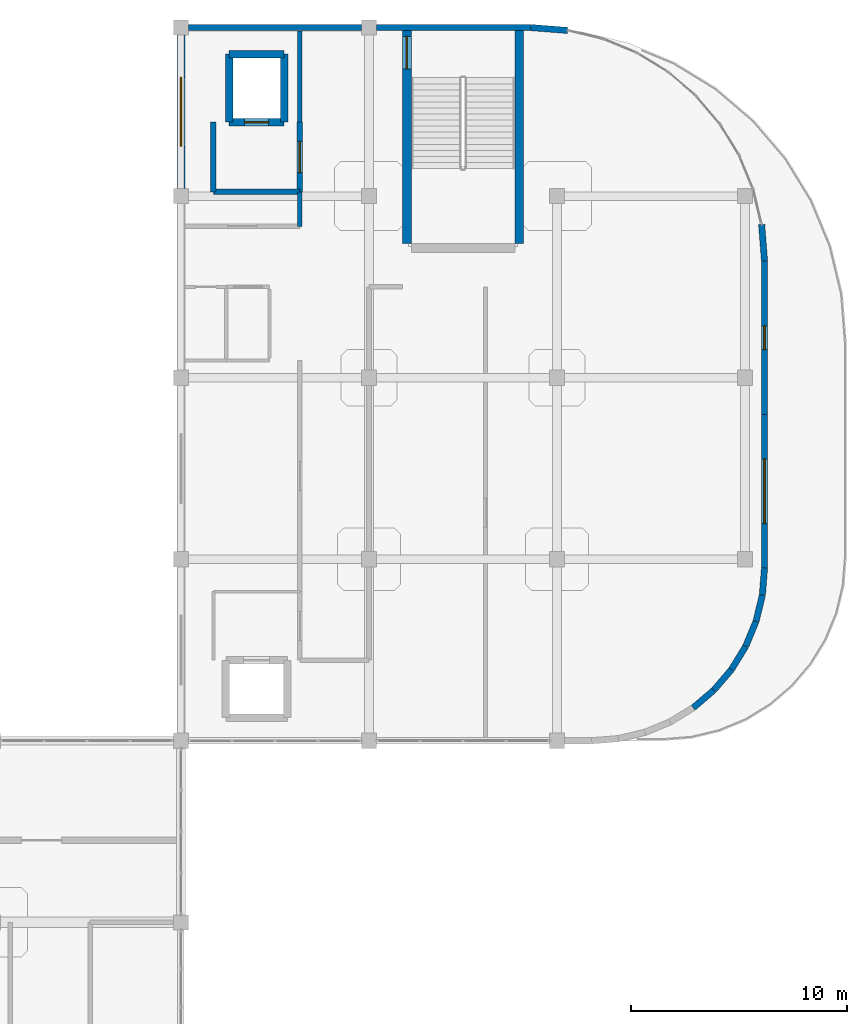
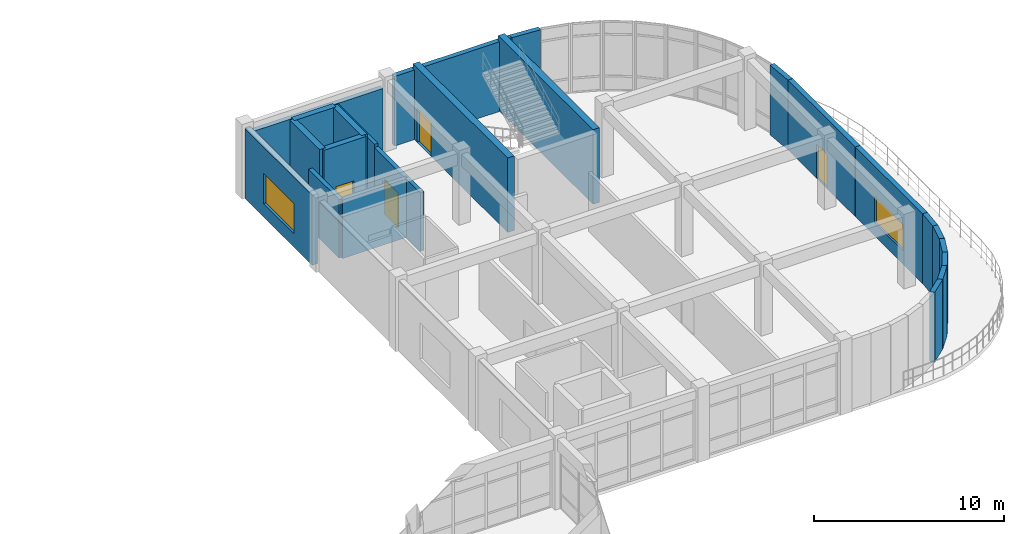
# One storey, part 58 of 64: 24 walls, 4 doors, 2 windows, 6 openings.
"""IFC4 building model written with IfcOpenShell, lengths in metres."""

from ifc_helpers import new_model, si_unit, derived_unit, direction, frame, frame_2d, origin, place, context, subcontext, project, spatial, rectangle, extrude, material, layer, layer_set, type_object, element, fill, save


model = new_model("IFC4")

# Units and contexts
model_context = context("Model", 3, precision=1e-05, world=origin(), true_north=direction((0.0, 1.0)))
body_context = subcontext(model_context, "Body", "Model", "MODEL_VIEW")
ifc_project = project(units=[si_unit("LENGTHUNIT", "METRE"), si_unit("AREAUNIT", "SQUARE_METRE"), si_unit("VOLUMEUNIT", "CUBIC_METRE"), si_unit("PLANEANGLEUNIT", "RADIAN"), si_unit("MASSUNIT", "GRAM", prefix="KILO"), derived_unit("THERMALTRANSMITTANCEUNIT", [(si_unit("MASSUNIT", "GRAM", prefix="KILO"), 1), (si_unit("TIMEUNIT", "SECOND"), -3), (si_unit("THERMODYNAMICTEMPERATUREUNIT", "KELVIN"), -1)])], contexts=[model_context])

# Site, building, storey
site_placement = place(None, origin())
site = spatial("IfcSite", under=ifc_project, at=site_placement, CompositionType="ELEMENT")
building_placement = place(site_placement, origin())
building = spatial("IfcBuilding", under=site, at=building_placement, Name="Qinzheling Arcade Emporium", CompositionType="ELEMENT")
storey_placement = place(building_placement, frame((0.0, 0.0, 31.5)))
storey = spatial("IfcBuildingStorey", under=building, at=storey_placement, Name="L07", CompositionType="ELEMENT", Elevation=31.5)

# Walls
ifc_material_1 = material(Name="Double-stud acoustic gypsum board partition")
ifc_layer_1 = layer(ifc_material_1, 0.215087890625, Name="Double-stud acoustic gypsum board partition")
ifc_layer_set_1 = layer_set([ifc_layer_1], Name="Double-stud acoustic gypsum board partition")
wall_type_1 = type_object("IfcWallType", Name="Acoustic Corridor Partition Wall 215", PredefinedType="PARTITIONING", material=ifc_layer_set_1)
wall_1_placement = place(storey_placement, frame((109.89990234375, 97.60009765625, 0.0), z_axis=(0.0, 0.0, 1.0), x_axis=(0.0, 1.0, 0.0)))
element("IfcWall", 1, at=wall_1_placement, inside=storey, type_object=wall_type_1, Name="Interior Wall WL-L07-INT-0916", PredefinedType="PARTITIONING", context=body_context, shape_type="SweptSolid", body=[
    extrude(rectangle(XDim=1.599853515625, YDim=0.215087890625, at=frame_2d((0.7998046875, 0.0))), origin(), (0.0, 0.0, 1.0), 3.77490234375),
])
wall_2_placement = place(storey_placement, frame((109.89990234375, 102.419921875, 0.0), z_axis=(0.0, 0.0, 1.0), x_axis=(0.0, 1.0, 0.0)))
element("IfcWall", 2, at=wall_2_placement, inside=storey, type_object=wall_type_1, Name="Interior Wall WL-L07-INT-0917", PredefinedType="PARTITIONING", context=body_context, shape_type="SweptSolid", body=[
    extrude(rectangle(XDim=4.22998046875, YDim=0.215087890625, at=frame_2d((2.114990234375, 0.0))), origin(), (0.0, 0.0, 1.0), 3.97509765625),
])

# Wall, opening, door
ifc_material_2 = material(Name="Fire-rated double-stud gypsum and mineral wool wall")
ifc_layer_2 = layer(ifc_material_2, 0.2451171875, Name="Fire-rated double-stud gypsum and mineral wool wall")
ifc_layer_set_2 = layer_set([ifc_layer_2], Name="Fire-rated double-stud gypsum and mineral wool wall")
wall_type_2 = type_object("IfcWallType", Name="Firefighting Lobby Rated Wall 245", PredefinedType="STANDARD", material=ifc_layer_set_2)
wall_3_placement = place(storey_placement, frame((109.89990234375, 102.419921875, 0.0), z_axis=(0.0, 0.0, 1.0), x_axis=(0.0, -1.0, 0.0)))
wall_3 = element("IfcWall", 3, at=wall_3_placement, inside=storey, type_object=wall_type_2, Name="Interior Wall WL-L07-INT-0885", PredefinedType="STANDARD", context=body_context, shape_type="SweptSolid", body=[
    extrude(rectangle(XDim=3.219970703125, YDim=0.2451171875, at=frame_2d((1.60986328125, 0.0))), origin(), (0.0, 0.0, 1.0), 3.77490234375),
])
opening_1_placement = place(wall_3_placement, frame((0.885009765625, 0.0, 0.0)))
opening_1 = element("IfcOpeningElement", 4, at=opening_1_placement, cuts=wall_3, Name="Opening FD02", PredefinedType="OPENING", context=body_context, shape_type="SweptSolid", body=[
    extrude(rectangle(XDim=1.449951171875, YDim=2.199951171875, at=frame_2d((0.72509765625, 1.10009765625))), frame((0.0, 0.132568359375, 0.0), z_axis=(0.0, -1.0, 0.0), x_axis=(1.0, 0.0, 0.0)), (0.0, 0.0, 1.0), 0.26513671875),
])
ifc_material_3 = material(Name="Class A fire-rated steel double door", Category="steel")
door_type_1 = type_object("IfcDoorType", Name="Firefighting Lobby Fire Door 1450x2200", OperationType="DOUBLE_DOOR_SINGLE_SWING", PredefinedType="DOOR", material=ifc_material_3)
door_1_placement = place(opening_1_placement, origin())
door_1 = element("IfcDoor", 5, at=door_1_placement, inside=storey, type_object=door_type_1, Name="FD02 Interior Door DR-L07-INT-0257", OperationType="DOUBLE_DOOR_SINGLE_SWING", OverallHeight=2.199951171875, OverallWidth=1.449951171875, PredefinedType="DOOR", context=body_context, shape_type="SweptSolid", body=[
    extrude(rectangle(XDim=1.449951171875, YDim=2.199951171875, at=frame_2d((0.72509765625, 1.10009765625))), frame((0.0, 0.02490234375, 0.0), z_axis=(0.0, -1.0, 0.0), x_axis=(1.0, 0.0, 0.0)), (0.0, 0.0, 1.0), 0.050048828125),
])
fill(opening_1, door_1)

# Walls
wall_4_placement = place(storey_placement, frame((109.89990234375, 99.199951171875, 0.0), z_axis=(0.0, 0.0, 1.0), x_axis=(-1.0, 0.0, 0.0)))
element("IfcWall", 6, at=wall_4_placement, inside=storey, type_object=wall_type_2, Name="Interior Wall WL-L07-INT-0886", PredefinedType="STANDARD", context=body_context, shape_type="SweptSolid", body=[
    extrude(rectangle(XDim=4.0, YDim=0.2451171875, at=frame_2d((2.0, 0.0))), origin(), (0.0, 0.0, 1.0), 3.77490234375),
])
wall_5_placement = place(storey_placement, frame((105.89990234375, 99.199951171875, 0.0), z_axis=(0.0, 0.0, 1.0), x_axis=(0.0, 1.0, 0.0)))
element("IfcWall", 7, at=wall_5_placement, inside=storey, type_object=wall_type_2, Name="Interior Wall WL-L07-INT-0887", PredefinedType="STANDARD", context=body_context, shape_type="SweptSolid", body=[
    extrude(rectangle(XDim=3.219970703125, YDim=0.2451171875, at=frame_2d((1.60986328125, 0.0))), origin(), (0.0, 0.0, 1.0), 3.77490234375),
])

# Wall, opening, window
ifc_material_4 = material(Name="Fluted granite ashlar on Concrete C40", Category="masonry")
ifc_layer_3 = layer(ifc_material_4, 0.35009765625, Name="Fluted granite ashlar on Concrete C40", Category="masonry")
ifc_layer_set_3 = layer_set([ifc_layer_3], Name="Fluted granite ashlar on Concrete C40")
wall_type_3 = type_object("IfcWallType", Name="Fluted Granite Logistics Wall 350", PredefinedType="STANDARD", material=ifc_layer_set_3)
wall_6_placement = place(storey_placement, frame((104.39990234375, 99.35205078125, 0.0), z_axis=(0.0, 0.0, 1.0), x_axis=(0.0, 1.0, 0.0)))
wall_6 = element("IfcWall", 8, at=wall_6_placement, inside=storey, type_object=wall_type_3, Name="Exterior Wall WL-L07-EW-0342", PredefinedType="STANDARD", context=body_context, shape_type="SweptSolid", body=[
    extrude(rectangle(XDim=7.095947265625, YDim=0.35009765625, at=frame_2d((3.5478515625, 0.0))), origin(), (0.0, 0.0, 1.0), 4.489990234375),
])
opening_2_placement = place(wall_6_placement, frame((1.947998046875, 0.0, 0.85009765625)))
opening_2 = element("IfcOpeningElement", 9, at=opening_2_placement, cuts=wall_6, Name="Opening WN37", PredefinedType="OPENING", context=body_context, shape_type="SweptSolid", body=[
    extrude(rectangle(XDim=3.199951171875, YDim=1.949951171875, at=frame_2d((1.60009765625, 0.97509765625))), frame((0.0, 0.18505859375, 0.0), z_axis=(0.0, -1.0, 0.0), x_axis=(1.0, 0.0, 0.0)), (0.0, 0.0, 1.0), 0.3701171875),
])
ifc_material_5 = material(Name="Thermally broken aluminium frame with solar-control double glazing", Category="aluminium")
window_type_1 = type_object("IfcWindowType", Name="Chicago Tripartite Window 3200x1950", PartitioningType="TRIPLE_PANEL_VERTICAL", PredefinedType="WINDOW", material=ifc_material_5)
window_1_placement = place(opening_2_placement, origin())
window_1 = element("IfcWindow", 10, at=window_1_placement, inside=storey, type_object=window_type_1, Name="WN37 Window WN-L07-0086", OverallHeight=1.949951171875, OverallWidth=3.199951171875, PartitioningType="TRIPLE_PANEL_VERTICAL", PredefinedType="WINDOW", context=body_context, shape_type="SweptSolid", body=[
    extrude(rectangle(XDim=3.199951171875, YDim=1.949951171875, at=frame_2d((1.60009765625, 0.97509765625))), frame((0.0, 0.030029296875, 0.0), z_axis=(0.0, -1.0, 0.0), x_axis=(1.0, 0.0, 0.0)), (0.0, 0.0, 1.0), 0.06005859375),
])
fill(opening_2, window_1)

# Walls
ifc_material_6 = material(Name="Buff glazed terracotta insulated wall", Category="masonry")
ifc_layer_4 = layer(ifc_material_6, 0.2900390625, Name="Buff glazed terracotta insulated wall", Category="masonry")
ifc_layer_set_4 = layer_set([ifc_layer_4], Name="Buff glazed terracotta insulated wall")
wall_type_4 = type_object("IfcWallType", Name="Office Bar Terracotta Wall 290", PredefinedType="STANDARD", material=ifc_layer_set_4)
wall_7_placement = place(storey_placement, frame((104.751953125, 106.800048828125, 0.0), z_axis=(0.0, 0.0, 1.0), x_axis=(1.0, 0.0, 0.0)))
element("IfcWall", 11, at=wall_7_placement, inside=storey, type_object=wall_type_4, Name="Exterior Wall WL-L07-EW-0343", PredefinedType="STANDARD", context=body_context, shape_type="SweptSolid", body=[
    extrude(rectangle(XDim=7.99609375, YDim=0.2900390625, at=frame_2d((3.998046875, 0.0))), origin(), (0.0, 0.0, 1.0), 3.969970703125),
])
wall_8_placement = place(storey_placement, frame((113.451904296875, 106.800048828125, 0.0), z_axis=(0.0, 0.0, 1.0), x_axis=(1.0, 0.0, 0.0)))
element("IfcWall", 12, at=wall_8_placement, inside=storey, type_object=wall_type_4, Name="Exterior Wall WL-L07-EW-0344", PredefinedType="STANDARD", context=body_context, shape_type="SweptSolid", body=[
    extrude(rectangle(XDim=7.148193359375, YDim=0.2900390625, at=frame_2d((3.57421875, 0.0))), origin(), (0.0, 0.0, 1.0), 4.489990234375),
])
for number, where, z_axis, x_axis, name in (
    (13, (120.60009765625, 106.800048828125, 0.0), (0.0, 0.0, 1.0), (0.996911226206, -0.078536660636, 0.0), "Exterior Wall WL-L07-EW-0345"),
    (14, (131.26708984375, 97.68896484375, 0.0), (0.0, 0.0, 1.0), (0.078393443076, -0.996922498534, 0.0), "Exterior Wall WL-L07-EW-0346"),
):
    element("IfcWall", number, at=place(storey_placement, frame(where, z_axis=z_axis, x_axis=x_axis)), inside=storey, type_object=wall_type_4, Name=name, PredefinedType="STANDARD", context=body_context, shape_type="SweptSolid", body=[
        extrude(rectangle(XDim=1.694091796875, YDim=0.2900390625, at=frame_2d((0.84716796875, 0.0))), origin(), (0.0, 0.0, 1.0), 4.489990234375),
    ])

# Wall, opening, door
wall_9_placement = place(storey_placement, frame((131.39990234375, 96.0, 0.0), z_axis=(0.0, 0.0, 1.0), x_axis=(0.0, -1.0, 0.0)))
wall_9 = element("IfcWall", 15, at=wall_9_placement, inside=storey, type_object=wall_type_4, Name="Exterior Wall WL-L07-EW-0347", PredefinedType="STANDARD", context=body_context, shape_type="SweptSolid", body=[
    extrude(rectangle(XDim=7.097900390625, YDim=0.2900390625, at=frame_2d((3.548828125, 0.0))), origin(), (0.0, 0.0, 1.0), 4.489990234375),
])
opening_3_placement = place(wall_9_placement, frame((2.9990234375, 0.0, 0.0)))
opening_3 = element("IfcOpeningElement", 16, at=opening_3_placement, cuts=wall_9, Name="Opening TD04", PredefinedType="OPENING", context=body_context, shape_type="SweptSolid", body=[
    extrude(rectangle(XDim=1.10009765625, YDim=2.199951171875, at=frame_2d((0.550048828125, 1.10009765625))), frame((0.0, 0.155029296875, 0.0), z_axis=(0.0, -1.0, 0.0), x_axis=(1.0, 0.0, 0.0)), (0.0, 0.0, 1.0), 0.31005859375),
])
ifc_material_7 = material(Name="Thermally broken aluminium and double glass", Category="aluminium")
door_type_2 = type_object("IfcDoorType", Name="Buying Office Terrace Single Door 1100x2200", OperationType="NOTDEFINED", PredefinedType="DOOR", material=ifc_material_7)
door_2_placement = place(opening_3_placement, origin())
door_2 = element("IfcDoor", 17, at=door_2_placement, inside=storey, type_object=door_type_2, Name="TD04 Exterior Door DR-L07-EXT-042", OperationType="SINGLE_SWING_LEFT", OverallHeight=2.199951171875, OverallWidth=1.10009765625, PredefinedType="DOOR", context=body_context, shape_type="SweptSolid", body=[
    extrude(rectangle(XDim=1.10009765625, YDim=2.199951171875, at=frame_2d((0.550048828125, 1.10009765625))), frame((0.0, 0.02490234375, 0.0), z_axis=(0.0, -1.0, 0.0), x_axis=(1.0, 0.0, 0.0)), (0.0, 0.0, 1.0), 0.050048828125),
])
fill(opening_3, door_2)

# Wall, opening, window
wall_10_placement = place(storey_placement, frame((131.39990234375, 88.89794921875, 0.0), z_axis=(0.0, 0.0, 1.0), x_axis=(0.0, -1.0, 0.0)))
wall_10 = element("IfcWall", 18, at=wall_10_placement, inside=storey, type_object=wall_type_4, Name="Exterior Wall WL-L07-EW-0348", PredefinedType="STANDARD", context=body_context, shape_type="SweptSolid", body=[
    extrude(rectangle(XDim=7.097900390625, YDim=0.2900390625, at=frame_2d((3.548828125, 0.0))), origin(), (0.0, 0.0, 1.0), 4.489990234375),
])
opening_4_placement = place(wall_10_placement, frame((2.049072265625, 0.0, 0.85009765625)))
opening_4 = element("IfcOpeningElement", 19, at=opening_4_placement, cuts=wall_10, Name="Opening WN43", PredefinedType="OPENING", context=body_context, shape_type="SweptSolid", body=[
    extrude(rectangle(XDim=3.0, YDim=1.699951171875, at=frame_2d((1.5, 0.85009765625))), frame((0.0, 0.155029296875, 0.0), z_axis=(0.0, -1.0, 0.0), x_axis=(1.0, 0.0, 0.0)), (0.0, 0.0, 1.0), 0.31005859375),
])
window_type_2 = type_object("IfcWindowType", Name="Chicago Tripartite Window 3000x1700", PartitioningType="TRIPLE_PANEL_VERTICAL", PredefinedType="WINDOW", material=ifc_material_5)
window_2_placement = place(opening_4_placement, origin())
window_2 = element("IfcWindow", 20, at=window_2_placement, inside=storey, type_object=window_type_2, Name="WN43 Window WN-L07-0087", OverallHeight=1.699951171875, OverallWidth=3.0, PartitioningType="TRIPLE_PANEL_VERTICAL", PredefinedType="WINDOW", context=body_context, shape_type="SweptSolid", body=[
    extrude(rectangle(XDim=3.0, YDim=1.699951171875, at=frame_2d((1.5, 0.85009765625))), frame((0.0, 0.030029296875, 0.0), z_axis=(0.0, -1.0, 0.0), x_axis=(1.0, 0.0, 0.0)), (0.0, 0.0, 1.0), 0.06005859375),
])
fill(opening_4, window_2)

# Walls
wall_11_placement = place(storey_placement, frame((131.39990234375, 81.800048828125, 0.0), z_axis=(0.0, 0.0, 1.0), x_axis=(-0.078020618655, -0.996951745605, 0.0)))
element("IfcWall", 21, at=wall_11_placement, inside=storey, type_object=wall_type_4, Name="Exterior Wall WL-L07-EW-0349", PredefinedType="STANDARD", context=body_context, shape_type="SweptSolid", body=[
    extrude(rectangle(XDim=1.2548828125, YDim=0.2900390625, at=frame_2d((0.62744140625, 0.0))), origin(), (0.0, 0.0, 1.0), 4.489990234375),
])
wall_12_placement = place(storey_placement, frame((131.302001953125, 80.549072265625, 0.0), z_axis=(0.0, 0.0, 1.0), x_axis=(-0.234019816048, -0.972231827136, 0.0)))
element("IfcWall", 22, at=wall_12_placement, inside=storey, type_object=wall_type_4, Name="Exterior Wall WL-L07-EW-0350", PredefinedType="STANDARD", context=body_context, shape_type="SweptSolid", body=[
    extrude(rectangle(XDim=1.256103515625, YDim=0.2900390625, at=frame_2d((0.6279296875, 0.0))), origin(), (0.0, 0.0, 1.0), 4.489990234375),
])
wall_13_placement = place(storey_placement, frame((131.008056640625, 79.327880859375, 0.0), z_axis=(0.0, 0.0, 1.0), x_axis=(-0.382363244777, -0.924012093559, 0.0)))
element("IfcWall", 23, at=wall_13_placement, inside=storey, type_object=wall_type_4, Name="Exterior Wall WL-L07-EW-0351", PredefinedType="STANDARD", context=body_context, shape_type="SweptSolid", body=[
    extrude(rectangle(XDim=1.25537109375, YDim=0.2900390625, at=frame_2d((0.627685546875, 0.0))), origin(), (0.0, 0.0, 1.0), 4.489990234375),
])
wall_14_placement = place(storey_placement, frame((130.528076171875, 78.16796875, 0.0), z_axis=(0.0, 0.0, 1.0), x_axis=(-0.522653278337, -0.852545336416, 0.0)))
element("IfcWall", 24, at=wall_14_placement, inside=storey, type_object=wall_type_4, Name="Exterior Wall WL-L07-EW-0352", PredefinedType="STANDARD", context=body_context, shape_type="SweptSolid", body=[
    extrude(rectangle(XDim=1.255126953125, YDim=0.2900390625, at=frame_2d((0.62744140625, 0.0))), origin(), (0.0, 0.0, 1.0), 4.489990234375),
])
for number, where, z_axis, x_axis, name in (
    (25, (129.8720703125, 77.097900390625, 0.0), (0.0, 0.0, 1.0), (-0.649300789232, -0.760531712095, 0.0), "Exterior Wall WL-L07-EW-0353"),
    (26, (129.056884765625, 76.14306640625, 0.0), (0.0, 0.0, 1.0), (-0.760531712095, -0.649300789232, 0.0), "Exterior Wall WL-L07-EW-0354"),
):
    element("IfcWall", number, at=place(storey_placement, frame(where, z_axis=z_axis, x_axis=x_axis)), inside=storey, type_object=wall_type_4, Name=name, PredefinedType="STANDARD", context=body_context, shape_type="SweptSolid", body=[
        extrude(rectangle(XDim=1.25537109375, YDim=0.2900390625, at=frame_2d((0.627685546875, 0.0))), origin(), (0.0, 0.0, 1.0), 4.489990234375),
    ])
ifc_material_8 = material(Name="Concrete C40", Category="concrete")
ifc_layer_5 = layer(ifc_material_8, 0.35009765625, Name="Concrete C40", Category="concrete")
ifc_layer_set_5 = layer_set([ifc_layer_5], Name="Concrete C40")
wall_type_5 = type_object("IfcWallType", Name="RC Lift Shaft Shear Wall 350 C40", PredefinedType="SHEAR", material=ifc_layer_set_5)
wall_15_placement = place(storey_placement, frame((106.625, 105.574951171875, 0.0), z_axis=(0.0, 0.0, 1.0), x_axis=(1.0, 0.0, 0.0)))
element("IfcWall", 27, at=wall_15_placement, inside=storey, type_object=wall_type_5, Name="Lift Shaft Wall WL-L07-LFT-LF03-N", PredefinedType="SHEAR", context=body_context, shape_type="SweptSolid", body=[
    extrude(rectangle(XDim=2.550048828125, YDim=0.35009765625, at=frame_2d((1.27490234375, 0.0))), origin(), (0.0, 0.0, 1.0), 4.800048828125),
])

# Wall, opening, door
wall_16_placement = place(storey_placement, frame((109.175048828125, 102.425048828125, 0.0), z_axis=(0.0, 0.0, 1.0), x_axis=(-1.0, 0.0, 0.0)))
wall_16 = element("IfcWall", 28, at=wall_16_placement, inside=storey, type_object=wall_type_5, Name="Lift Shaft Wall WL-L07-LFT-LF03-S", PredefinedType="SHEAR", context=body_context, shape_type="SweptSolid", body=[
    extrude(rectangle(XDim=2.550048828125, YDim=0.35009765625, at=frame_2d((1.27490234375, 0.0))), origin(), (0.0, 0.0, 1.0), 4.800048828125),
])
opening_5_placement = place(wall_16_placement, frame((0.72509765625, 0.0, 0.0)))
opening_5 = element("IfcOpeningElement", 29, at=opening_5_placement, cuts=wall_16, Name="Opening LD01", PredefinedType="OPENING", context=body_context, shape_type="SweptSolid", body=[
    extrude(rectangle(XDim=1.10009765625, YDim=2.199951171875, at=frame_2d((0.550048828125, 1.10009765625))), frame((0.0, 0.18505859375, 0.0), z_axis=(0.0, -1.0, 0.0), x_axis=(1.0, 0.0, 0.0)), (0.0, 0.0, 1.0), 0.3701171875),
])
ifc_material_9 = material(Name="Fire-rated stainless steel sliding lift door", Category="steel")
door_type_3 = type_object("IfcDoorType", Name="Firefighting Lift Sliding Landing Door 1100x2200", OperationType="DOUBLE_DOOR_SLIDING", PredefinedType="DOOR", material=ifc_material_9)
door_3_placement = place(opening_5_placement, origin())
door_3 = element("IfcDoor", 30, at=door_3_placement, inside=storey, type_object=door_type_3, Name="LD01 Lift Landing Door LF03 L07", OperationType="DOUBLE_DOOR_SLIDING", OverallHeight=2.199951171875, OverallWidth=1.10009765625, PredefinedType="DOOR", context=body_context, shape_type="SweptSolid", body=[
    extrude(rectangle(XDim=1.10009765625, YDim=2.199951171875, at=frame_2d((0.550048828125, 1.10009765625))), frame((0.0, 0.02490234375, 0.0), z_axis=(0.0, -1.0, 0.0), x_axis=(1.0, 0.0, 0.0)), (0.0, 0.0, 1.0), 0.050048828125),
])
fill(opening_5, door_3)

# Walls
for number, where, z_axis, x_axis, name in (
    (31, (106.625, 102.425048828125, 0.0), (0.0, 0.0, 1.0), (0.0, 1.0, 0.0), "Lift Shaft Wall WL-L07-LFT-LF03-W"),
    (32, (109.175048828125, 105.574951171875, 0.0), (0.0, 0.0, 1.0), (0.0, -1.0, 0.0), "Lift Shaft Wall WL-L07-LFT-LF03-E"),
):
    element("IfcWall", number, at=place(storey_placement, frame(where, z_axis=z_axis, x_axis=x_axis)), inside=storey, type_object=wall_type_5, Name=name, PredefinedType="SHEAR", context=body_context, shape_type="SweptSolid", body=[
        extrude(rectangle(XDim=3.14990234375, YDim=0.35009765625, at=frame_2d((1.574951171875, 0.0))), origin(), (0.0, 0.0, 1.0), 4.800048828125),
    ])

# Wall, opening, door
ifc_material_10 = material(Name="Concrete C50", Category="concrete")
ifc_layer_6 = layer(ifc_material_10, 0.39990234375, Name="Concrete C50", Category="concrete")
ifc_layer_set_6 = layer_set([ifc_layer_6], Name="Concrete C50")
wall_type_6 = type_object("IfcWallType", Name="RC Stair Core Shear Wall 400 C50", PredefinedType="SHEAR", material=ifc_layer_set_6)
wall_17_placement = place(storey_placement, frame((114.85498046875, 96.800048828125, 0.0), z_axis=(0.0, 0.0, 1.0), x_axis=(0.0, 1.0, 0.0)))
wall_17 = element("IfcWall", 33, at=wall_17_placement, inside=storey, type_object=wall_type_6, Name="Stair Core Wall WL-L07-ST08-WEST", PredefinedType="SHEAR", context=body_context, shape_type="SweptSolid", body=[
    extrude(rectangle(XDim=10.0, YDim=0.39990234375, at=frame_2d((5.0, 0.0))), origin(), (0.0, 0.0, 1.0), 4.800048828125),
])
opening_6_placement = place(wall_17_placement, frame((8.090087890625, 0.0, 0.0)))
opening_6 = element("IfcOpeningElement", 34, at=opening_6_placement, cuts=wall_17, Name="Opening FD01", PredefinedType="OPENING", context=body_context, shape_type="SweptSolid", body=[
    extrude(rectangle(XDim=1.5, YDim=2.199951171875, at=frame_2d((0.75, 1.10009765625))), frame((0.0, 0.2099609375, 0.0), z_axis=(0.0, -1.0, 0.0), x_axis=(1.0, 0.0, 0.0)), (0.0, 0.0, 1.0), 0.419921875),
])
door_type_4 = type_object("IfcDoorType", Name="Stairwell Smoke-Proof Fire Door 1500x2200", OperationType="DOUBLE_DOOR_SINGLE_SWING", PredefinedType="DOOR", material=ifc_material_3)
door_4_placement = place(opening_6_placement, origin())
door_4 = element("IfcDoor", 35, at=door_4_placement, inside=storey, type_object=door_type_4, Name="FD01 Stairwell Fire Door DR-L07-ST08-FD", OperationType="DOUBLE_DOOR_SINGLE_SWING", OverallHeight=2.199951171875, OverallWidth=1.5, PredefinedType="DOOR", context=body_context, shape_type="SweptSolid", body=[
    extrude(rectangle(XDim=1.5, YDim=2.199951171875, at=frame_2d((0.75, 1.10009765625))), frame((0.0, 0.02490234375, 0.0), z_axis=(0.0, -1.0, 0.0), x_axis=(1.0, 0.0, 0.0)), (0.0, 0.0, 1.0), 0.050048828125),
])
fill(opening_6, door_4)

# Wall
wall_18_placement = place(storey_placement, frame((120.044921875, 106.800048828125, 0.0), z_axis=(0.0, 0.0, 1.0), x_axis=(0.0, -1.0, 0.0)))
element("IfcWall", 36, at=wall_18_placement, inside=storey, type_object=wall_type_6, Name="Stair Core Wall WL-L07-ST08-EAST", PredefinedType="SHEAR", context=body_context, shape_type="SweptSolid", body=[
    extrude(rectangle(XDim=10.0, YDim=0.39990234375, at=frame_2d((5.0, 0.0))), origin(), (0.0, 0.0, 1.0), 4.800048828125),
])

save(model, "model.ifc")
